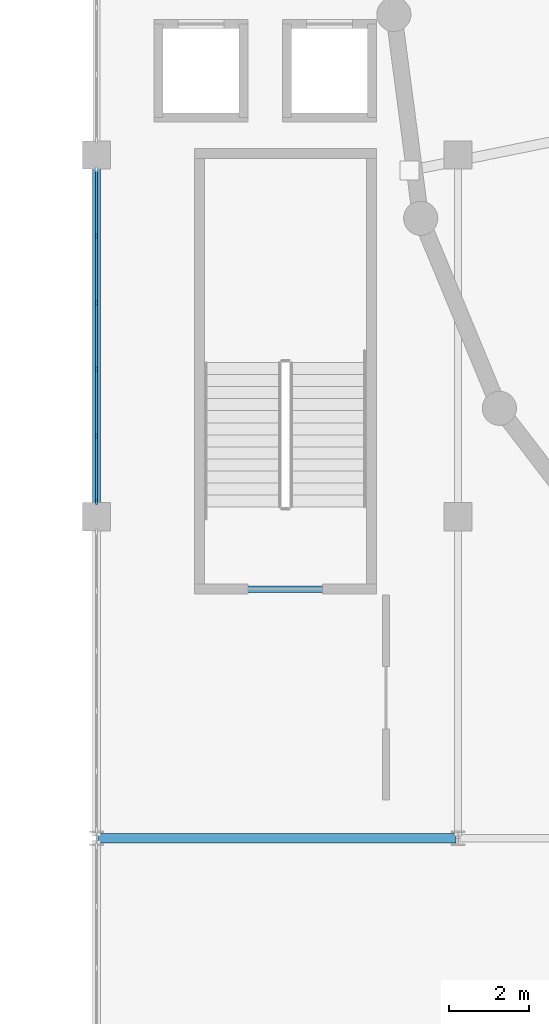
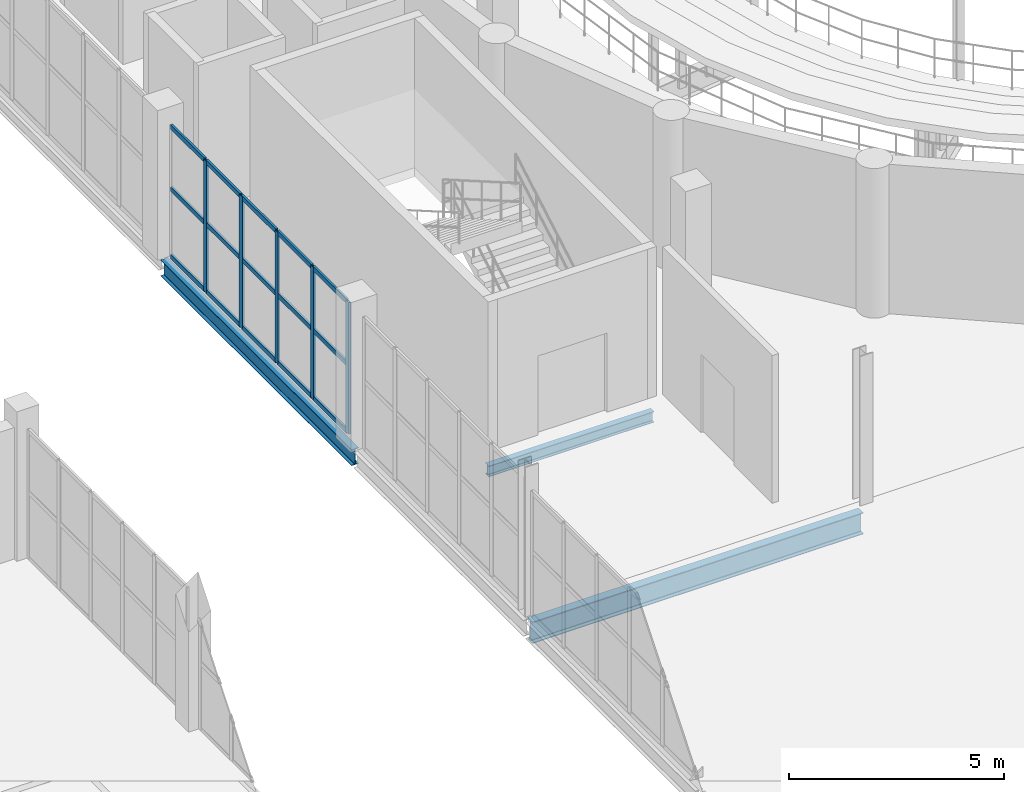
# One storey, part 20 of 73: 20 members, 3 beams, 1 element without a shape of its own.
"""IFC4 building model written with IfcOpenShell, lengths in metres."""

from ifc_helpers import new_model, si_unit, direction, frame, origin, origin_2d, place, context, subcontext, project, spatial, rectangle, i_section, extrude, material, layer, layer_set, material_profile, profile_set, type_object, element, aggregate, save


model = new_model("IFC4")

# Units and contexts
model_context = context("Model", 3, precision=1e-05, world=origin(), true_north=direction((0.0, 1.0)))
body_context = subcontext(model_context, "Body", "Model", "MODEL_VIEW")
ifc_project = project(units=[si_unit("LENGTHUNIT", "METRE"), si_unit("AREAUNIT", "SQUARE_METRE"), si_unit("VOLUMEUNIT", "CUBIC_METRE"), si_unit("PLANEANGLEUNIT", "RADIAN"), si_unit("MASSUNIT", "GRAM", prefix="KILO")], contexts=[model_context])

# Site, building, storey
site_placement = place(None, origin())
site = spatial("IfcSite", under=ifc_project, at=site_placement, CompositionType="ELEMENT")
building_placement = place(site_placement, origin())
building = spatial("IfcBuilding", under=site, at=building_placement, Name="Marnock Terrace Opera House", CompositionType="ELEMENT")
storey_placement = place(building_placement, frame((0.0, 0.0, 14.699951171875)))
storey = spatial("IfcBuildingStorey", under=building, at=storey_placement, Name="L03", CompositionType="ELEMENT", Elevation=14.699951171875)

# Beams
ifc_material_1 = material(Name="Steel Grade 350 (AS/NZS 3679.1)", Category="steel")
ifc_material_profile_1 = material_profile(ifc_material_1, i_section(OverallWidth=0.18994140625, OverallDepth=0.45751953125, WebThickness=0.009033203125, FlangeThickness=0.014404296875, FilletRadius=0.011474609375, at=origin_2d()))
ifc_profile_set_1 = profile_set([ifc_material_profile_1], Name="Steel Grade 350 (AS/NZS 3679.1)")
beam_type_1 = type_object("IfcBeamType", Name="BM-GIRD-460B", PredefinedType="BEAM", material=ifc_profile_set_1)
beam_1_placement = place(storey_placement, frame((55.0, 48.050048828125, -0.48876953125), z_axis=(0.0, 1.0, 0.0), x_axis=(-1.0, 0.0, 0.0)))
element("IfcBeam", 1, at=beam_1_placement, inside=storey, type_object=beam_type_1, Name="L03 girder (X=55.0, 48.0..57.0)", PredefinedType="BEAM", context=body_context, shape_type="SweptSolid", body=[
    extrude(i_section(OverallWidth=0.18994140625, OverallDepth=0.45751953125, WebThickness=0.009033203125, FlangeThickness=0.014404296875, FilletRadius=0.011474609375, at=origin_2d()), origin(), (0.0, 0.0, 1.0), 8.89990234375),
])
ifc_material_profile_2 = material_profile(ifc_material_1, i_section(OverallWidth=0.22900390625, OverallDepth=0.611572265625, WebThickness=0.011962890625, FlangeThickness=0.01953125, FilletRadius=0.013916015625, at=origin_2d()))
ifc_profile_set_2 = profile_set([ifc_material_profile_2], Name="Steel Grade 350 (AS/NZS 3679.1)")
beam_type_2 = type_object("IfcBeamType", Name="BM-GIRD-610A", PredefinedType="BEAM", material=ifc_profile_set_2)
beam_2_placement = place(storey_placement, frame((55.050048828125, 40.0, -0.565673828125), z_axis=(1.0, 0.0, 0.0), x_axis=(0.0, 1.0, 0.0)))
element("IfcBeam", 2, at=beam_2_placement, inside=storey, type_object=beam_type_2, Name="L03 girder (55.0..64.0, Y=40.0)", PredefinedType="BEAM", context=body_context, shape_type="SweptSolid", body=[
    extrude(i_section(OverallWidth=0.22900390625, OverallDepth=0.611572265625, WebThickness=0.011962890625, FlangeThickness=0.01953125, FilletRadius=0.013916015625, at=origin_2d()), origin(), (0.0, 0.0, 1.0), 8.89990234375),
])
ifc_material_profile_3 = material_profile(ifc_material_1, i_section(OverallWidth=0.166015625, OverallDepth=0.30712890625, WebThickness=0.006591796875, FlangeThickness=0.01171875, FilletRadius=0.011474609375, at=origin_2d()))
ifc_profile_set_3 = profile_set([ifc_material_profile_3], Name="Steel Grade 350 (AS/NZS 3679.1)")
beam_type_3 = type_object("IfcBeamType", Name="BM-LINT-310", PredefinedType="LINTEL", material=ifc_profile_set_3)
beam_3_placement = place(storey_placement, frame((57.47998046875, 46.199951171875, -0.60986328125), z_axis=(1.0, 0.0, 0.0), x_axis=(0.0, 1.0, 0.0)))
element("IfcBeam", 3, at=beam_3_placement, inside=storey, type_object=beam_type_3, Name="L02 Core C1 coupling lintel", PredefinedType="LINTEL", context=body_context, shape_type="SweptSolid", body=[
    extrude(i_section(OverallWidth=0.166015625, OverallDepth=0.30712890625, WebThickness=0.006591796875, FlangeThickness=0.01171875, FilletRadius=0.011474609375, at=origin_2d()), origin(), (0.0, 0.0, 1.0), 4.43994140625),
])

# Curtain wall, members
ifc_material_2 = material(Name="Anodised architectural bronze aluminium framing", Category="aluminium")
ifc_layer = layer(ifc_material_2, 0.159912109375)
ifc_layer_set = layer_set([ifc_layer], Name="Anodised architectural bronze aluminium framing")
curtain_wall_type = type_object("IfcCurtainWallType", Name="CW-FOYER-90x42", PredefinedType="NOTDEFINED", material=ifc_layer_set)
curtain_wall_placement = place(storey_placement, origin())
curtain_wall = element("IfcCurtainWall", 4, at=curtain_wall_placement, inside=storey, type_object=curtain_wall_type, Name="L03 glazed Beaux-Arts colonnade curtain wall CW-V1W-L03-06", PredefinedType="NOTDEFINED")
ifc_material_profile_4 = material_profile(ifc_material_2, rectangle(XDim=0.06005859375, YDim=0.14990234375, at=origin_2d()))
ifc_profile_set_4 = profile_set([ifc_material_profile_4], Name="Anodised architectural bronze aluminium framing")
member_type_1 = type_object("IfcMemberType", Name="CWM-60x150", PredefinedType="MULLION", material=ifc_profile_set_4)
member_1_placement = place(storey_placement, frame((55.0, 48.3759765625, 0.0), z_axis=(0.0, 0.0, 1.0), x_axis=(-1.0, 0.0, 0.0)))
member_1 = element("IfcMember", 5, at=member_1_placement, type_object=member_type_1, Name="CW-68 mullion 1", PredefinedType="MULLION", context=body_context, shape_type="SweptSolid", body=[
    extrude(rectangle(XDim=0.06005859375, YDim=0.14990234375, at=origin_2d()), origin(), (0.0, 0.0, 1.0), 3.74267578125),
])
member_2_placement = place(storey_placement, frame((55.0, 50.007568359375, 0.0), z_axis=(0.0, 0.0, 1.0), x_axis=(-1.0, 0.0, 0.0)))
member_2 = element("IfcMember", 6, at=member_2_placement, type_object=member_type_1, Name="CW-68 mullion 2", PredefinedType="MULLION", context=body_context, shape_type="SweptSolid", body=[
    extrude(rectangle(XDim=0.06005859375, YDim=0.14990234375, at=origin_2d()), origin(), (0.0, 0.0, 1.0), 3.74267578125),
])
member_3_placement = place(storey_placement, frame((55.0, 51.669189453125, 0.0), z_axis=(0.0, 0.0, 1.0), x_axis=(-1.0, 0.0, 0.0)))
member_3 = element("IfcMember", 7, at=member_3_placement, type_object=member_type_1, Name="CW-68 mullion 3", PredefinedType="MULLION", context=body_context, shape_type="SweptSolid", body=[
    extrude(rectangle(XDim=0.06005859375, YDim=0.14990234375, at=origin_2d()), origin(), (0.0, 0.0, 1.0), 3.74267578125),
])
member_4_placement = place(storey_placement, frame((55.0, 53.330810546875, 0.0), z_axis=(0.0, 0.0, 1.0), x_axis=(-1.0, 0.0, 0.0)))
member_4 = element("IfcMember", 8, at=member_4_placement, type_object=member_type_1, Name="CW-68 mullion 4", PredefinedType="MULLION", context=body_context, shape_type="SweptSolid", body=[
    extrude(rectangle(XDim=0.06005859375, YDim=0.14990234375, at=origin_2d()), origin(), (0.0, 0.0, 1.0), 3.74267578125),
])
member_5_placement = place(storey_placement, frame((55.0, 54.992431640625, 0.0), z_axis=(0.0, 0.0, 1.0), x_axis=(-1.0, 0.0, 0.0)))
member_5 = element("IfcMember", 9, at=member_5_placement, type_object=member_type_1, Name="CW-68 mullion 5", PredefinedType="MULLION", context=body_context, shape_type="SweptSolid", body=[
    extrude(rectangle(XDim=0.06005859375, YDim=0.14990234375, at=origin_2d()), origin(), (0.0, 0.0, 1.0), 3.74267578125),
])
ifc_material_profile_5 = material_profile(ifc_material_2, rectangle(XDim=0.06005859375, YDim=0.1298828125, at=origin_2d()))
ifc_profile_set_5 = profile_set([ifc_material_profile_5], Name="Anodised architectural bronze aluminium framing")
member_type_2 = type_object("IfcMemberType", Name="CWT-60x130", PredefinedType="USERDEFINED", material=ifc_profile_set_5)
member_6_placement = place(storey_placement, frame((55.0, 48.406005859375, 0.030029296875), z_axis=(0.0, 1.0, 0.0), x_axis=(-1.0, 0.0, 0.0)))
member_6 = element("IfcMember", 10, at=member_6_placement, type_object=member_type_2, Name="CW-68 transom 1.1", ObjectType="TRANSOM", PredefinedType="USERDEFINED", context=body_context, shape_type="SweptSolid", body=[
    extrude(rectangle(XDim=0.06005859375, YDim=0.1298828125, at=origin_2d()), origin(), (0.0, 0.0, 1.0), 1.571533203125),
])
member_7_placement = place(storey_placement, frame((55.0, 48.406005859375, 1.9462890625), z_axis=(0.0, 1.0, 0.0), x_axis=(-1.0, 0.0, 0.0)))
member_7 = element("IfcMember", 11, at=member_7_placement, type_object=member_type_2, Name="CW-68 transom 1.2", ObjectType="TRANSOM", PredefinedType="USERDEFINED", context=body_context, shape_type="SweptSolid", body=[
    extrude(rectangle(XDim=0.06005859375, YDim=0.1298828125, at=origin_2d()), origin(), (0.0, 0.0, 1.0), 1.571533203125),
])
member_8_placement = place(storey_placement, frame((55.0, 48.406005859375, 3.712646484375), z_axis=(0.0, 1.0, 0.0), x_axis=(-1.0, 0.0, 0.0)))
member_8 = element("IfcMember", 12, at=member_8_placement, type_object=member_type_2, Name="CW-68 transom 1.3", ObjectType="TRANSOM", PredefinedType="USERDEFINED", context=body_context, shape_type="SweptSolid", body=[
    extrude(rectangle(XDim=0.06005859375, YDim=0.1298828125, at=origin_2d()), origin(), (0.0, 0.0, 1.0), 1.571533203125),
])
member_9_placement = place(storey_placement, frame((55.0, 50.03759765625, 0.030029296875), z_axis=(0.0, 1.0, 0.0), x_axis=(-1.0, 0.0, 0.0)))
member_9 = element("IfcMember", 13, at=member_9_placement, type_object=member_type_2, Name="CW-68 transom 2.1", ObjectType="TRANSOM", PredefinedType="USERDEFINED", context=body_context, shape_type="SweptSolid", body=[
    extrude(rectangle(XDim=0.06005859375, YDim=0.1298828125, at=origin_2d()), origin(), (0.0, 0.0, 1.0), 1.6015625),
])
member_10_placement = place(storey_placement, frame((55.0, 50.03759765625, 1.9462890625), z_axis=(0.0, 1.0, 0.0), x_axis=(-1.0, 0.0, 0.0)))
member_10 = element("IfcMember", 14, at=member_10_placement, type_object=member_type_2, Name="CW-68 transom 2.2", ObjectType="TRANSOM", PredefinedType="USERDEFINED", context=body_context, shape_type="SweptSolid", body=[
    extrude(rectangle(XDim=0.06005859375, YDim=0.1298828125, at=origin_2d()), origin(), (0.0, 0.0, 1.0), 1.6015625),
])
member_11_placement = place(storey_placement, frame((55.0, 50.03759765625, 3.712646484375), z_axis=(0.0, 1.0, 0.0), x_axis=(-1.0, 0.0, 0.0)))
member_11 = element("IfcMember", 15, at=member_11_placement, type_object=member_type_2, Name="CW-68 transom 2.3", ObjectType="TRANSOM", PredefinedType="USERDEFINED", context=body_context, shape_type="SweptSolid", body=[
    extrude(rectangle(XDim=0.06005859375, YDim=0.1298828125, at=origin_2d()), origin(), (0.0, 0.0, 1.0), 1.6015625),
])
member_12_placement = place(storey_placement, frame((55.0, 51.69921875, 0.030029296875), z_axis=(0.0, 1.0, 0.0), x_axis=(-1.0, 0.0, 0.0)))
member_12 = element("IfcMember", 16, at=member_12_placement, type_object=member_type_2, Name="CW-68 transom 3.1", ObjectType="TRANSOM", PredefinedType="USERDEFINED", context=body_context, shape_type="SweptSolid", body=[
    extrude(rectangle(XDim=0.06005859375, YDim=0.1298828125, at=origin_2d()), origin(), (0.0, 0.0, 1.0), 1.6015625),
])
member_13_placement = place(storey_placement, frame((55.0, 51.69921875, 1.9462890625), z_axis=(0.0, 1.0, 0.0), x_axis=(-1.0, 0.0, 0.0)))
member_13 = element("IfcMember", 17, at=member_13_placement, type_object=member_type_2, Name="CW-68 transom 3.2", ObjectType="TRANSOM", PredefinedType="USERDEFINED", context=body_context, shape_type="SweptSolid", body=[
    extrude(rectangle(XDim=0.06005859375, YDim=0.1298828125, at=origin_2d()), origin(), (0.0, 0.0, 1.0), 1.6015625),
])
member_14_placement = place(storey_placement, frame((55.0, 51.69921875, 3.712646484375), z_axis=(0.0, 1.0, 0.0), x_axis=(-1.0, 0.0, 0.0)))
member_14 = element("IfcMember", 18, at=member_14_placement, type_object=member_type_2, Name="CW-68 transom 3.3", ObjectType="TRANSOM", PredefinedType="USERDEFINED", context=body_context, shape_type="SweptSolid", body=[
    extrude(rectangle(XDim=0.06005859375, YDim=0.1298828125, at=origin_2d()), origin(), (0.0, 0.0, 1.0), 1.6015625),
])
member_15_placement = place(storey_placement, frame((55.0, 53.36083984375, 0.030029296875), z_axis=(0.0, 1.0, 0.0), x_axis=(-1.0, 0.0, 0.0)))
member_15 = element("IfcMember", 19, at=member_15_placement, type_object=member_type_2, Name="CW-68 transom 4.1", ObjectType="TRANSOM", PredefinedType="USERDEFINED", context=body_context, shape_type="SweptSolid", body=[
    extrude(rectangle(XDim=0.06005859375, YDim=0.1298828125, at=origin_2d()), origin(), (0.0, 0.0, 1.0), 1.6015625),
])
member_16_placement = place(storey_placement, frame((55.0, 53.36083984375, 1.9462890625), z_axis=(0.0, 1.0, 0.0), x_axis=(-1.0, 0.0, 0.0)))
member_16 = element("IfcMember", 20, at=member_16_placement, type_object=member_type_2, Name="CW-68 transom 4.2", ObjectType="TRANSOM", PredefinedType="USERDEFINED", context=body_context, shape_type="SweptSolid", body=[
    extrude(rectangle(XDim=0.06005859375, YDim=0.1298828125, at=origin_2d()), origin(), (0.0, 0.0, 1.0), 1.6015625),
])
member_17_placement = place(storey_placement, frame((55.0, 53.36083984375, 3.712646484375), z_axis=(0.0, 1.0, 0.0), x_axis=(-1.0, 0.0, 0.0)))
member_17 = element("IfcMember", 21, at=member_17_placement, type_object=member_type_2, Name="CW-68 transom 4.3", ObjectType="TRANSOM", PredefinedType="USERDEFINED", context=body_context, shape_type="SweptSolid", body=[
    extrude(rectangle(XDim=0.06005859375, YDim=0.1298828125, at=origin_2d()), origin(), (0.0, 0.0, 1.0), 1.6015625),
])
member_18_placement = place(storey_placement, frame((55.0, 55.0224609375, 0.030029296875), z_axis=(0.0, 1.0, 0.0), x_axis=(-1.0, 0.0, 0.0)))
member_18 = element("IfcMember", 22, at=member_18_placement, type_object=member_type_2, Name="CW-68 transom 5.1", ObjectType="TRANSOM", PredefinedType="USERDEFINED", context=body_context, shape_type="SweptSolid", body=[
    extrude(rectangle(XDim=0.06005859375, YDim=0.1298828125, at=origin_2d()), origin(), (0.0, 0.0, 1.0), 1.571533203125),
])
member_19_placement = place(storey_placement, frame((55.0, 55.0224609375, 1.9462890625), z_axis=(0.0, 1.0, 0.0), x_axis=(-1.0, 0.0, 0.0)))
member_19 = element("IfcMember", 23, at=member_19_placement, type_object=member_type_2, Name="CW-68 transom 5.2", ObjectType="TRANSOM", PredefinedType="USERDEFINED", context=body_context, shape_type="SweptSolid", body=[
    extrude(rectangle(XDim=0.06005859375, YDim=0.1298828125, at=origin_2d()), origin(), (0.0, 0.0, 1.0), 1.571533203125),
])
member_20_placement = place(storey_placement, frame((55.0, 55.0224609375, 3.712646484375), z_axis=(0.0, 1.0, 0.0), x_axis=(-1.0, 0.0, 0.0)))
member_20 = element("IfcMember", 24, at=member_20_placement, type_object=member_type_2, Name="CW-68 transom 5.3", ObjectType="TRANSOM", PredefinedType="USERDEFINED", context=body_context, shape_type="SweptSolid", body=[
    extrude(rectangle(XDim=0.06005859375, YDim=0.1298828125, at=origin_2d()), origin(), (0.0, 0.0, 1.0), 1.571533203125),
])
aggregate(curtain_wall, [member_1, member_2, member_3, member_4, member_5, member_6, member_7, member_8, member_9, member_10, member_11, member_12, member_13, member_14, member_15, member_16, member_17, member_18, member_19, member_20])

save(model, "model.ifc")
